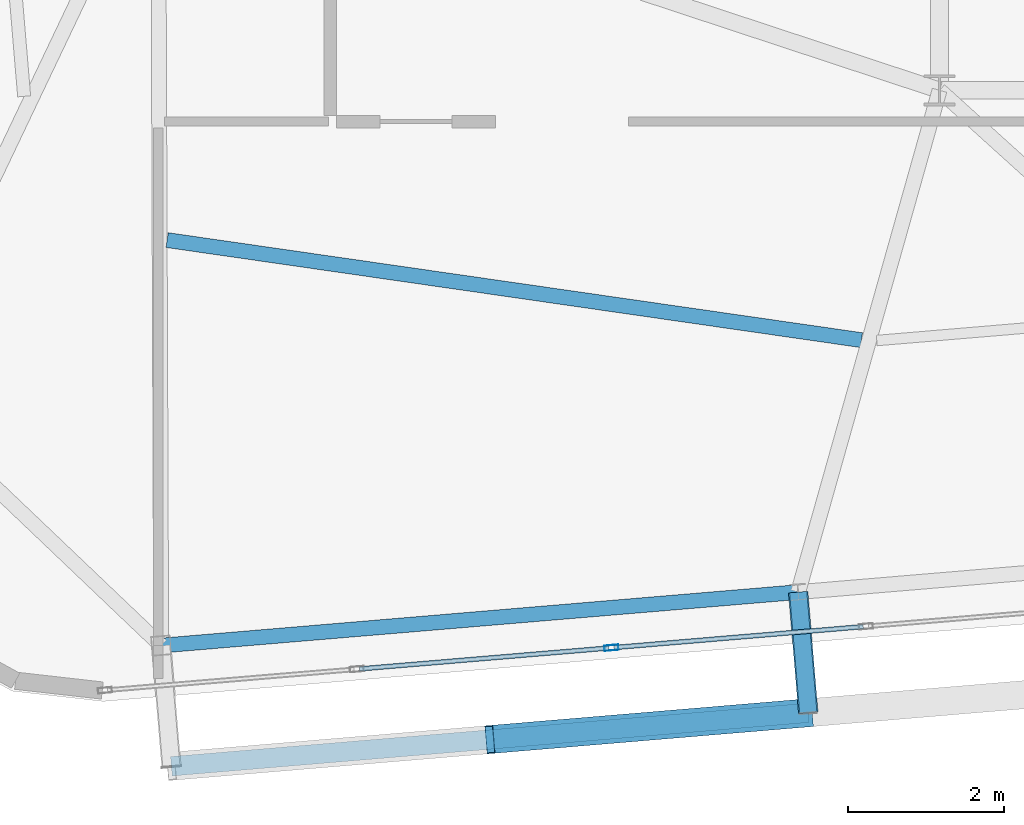
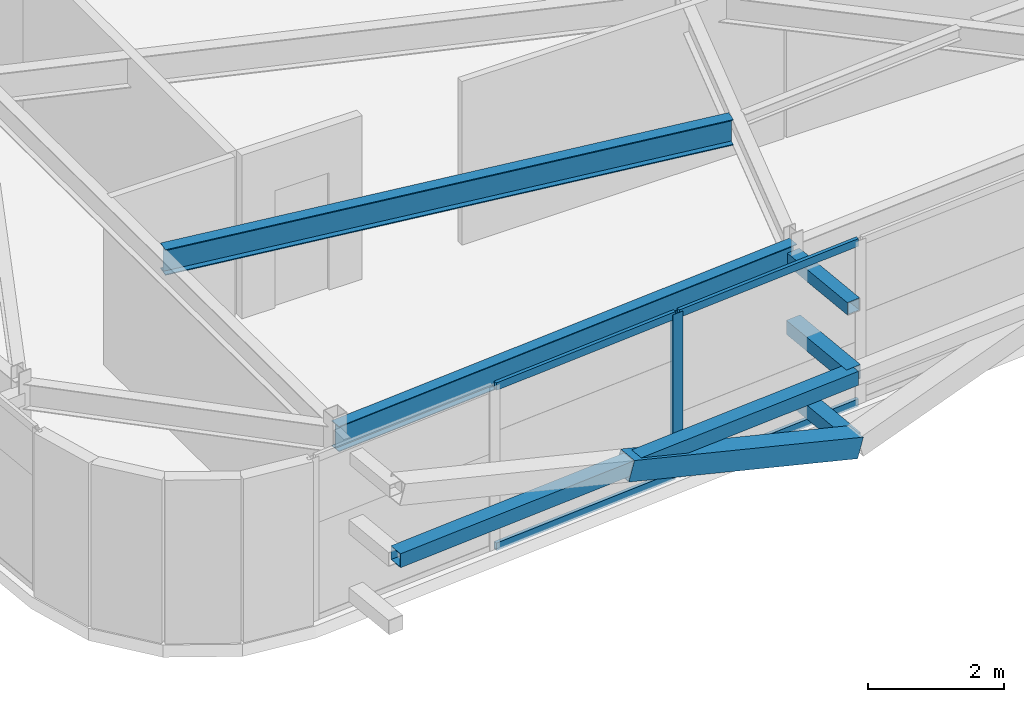
# One storey, part 8 of 46: 10 members, 2 beams, 1 element without a shape of its own.
"""IFC4 building model written with IfcOpenShell, lengths in metres."""

from ifc_helpers import new_model, si_unit, direction, frame, origin, origin_2d, place, context, subcontext, project, spatial, hollow_rectangle, i_section, extrude, source, transform, mapped, material, layer, layer_set, material_profile, profile_set, type_object, element, aggregate, save


model = new_model("IFC4")

# Units and contexts
model_context = context("Model", 3, precision=1e-05, world=origin(), true_north=direction((0.0, 1.0)))
body_context = subcontext(model_context, "Body", "Model", "MODEL_VIEW")
ifc_project = project(units=[si_unit("LENGTHUNIT", "METRE"), si_unit("AREAUNIT", "SQUARE_METRE"), si_unit("VOLUMEUNIT", "CUBIC_METRE"), si_unit("PLANEANGLEUNIT", "RADIAN"), si_unit("MASSUNIT", "GRAM", prefix="KILO")], contexts=[model_context])

# Site, building, storey
site_placement = place(None, origin())
site = spatial("IfcSite", under=ifc_project, at=site_placement, CompositionType="ELEMENT")
building_placement = place(site_placement, origin())
building = spatial("IfcBuilding", under=site, at=building_placement, Name="Taldren Reach Tower", CompositionType="ELEMENT")
storey_placement = place(building_placement, frame((0.0, 0.0, 188.300048828125)))
storey = spatial("IfcBuildingStorey", under=building, at=storey_placement, Name="L57", CompositionType="ELEMENT", Elevation=188.300048828125)

# Members
ifc_material_1 = material(Name="Steel Gr 350 (C350L0)", Category="steel")
ifc_material_profile_1 = material_profile(ifc_material_1, hollow_rectangle(XDim=0.25, YDim=0.25, WallThickness=0.010009765625, at=origin_2d()), Name="250x250x10.0SHS")
ifc_profile_set_1 = profile_set([ifc_material_profile_1], Name="Steel Gr 350 (C350L0)")
member_type_1 = type_object("IfcMemberType", Name="MB-POST250", PredefinedType="POST", material=ifc_profile_set_1)
shared_shape_1 = source(origin(), body_context, "Body", "SweptSolid", [
    extrude(hollow_rectangle(XDim=0.25, YDim=0.25, WallThickness=0.010009765625, at=origin_2d()), origin(), (0.0, 0.0, 1.0), 1.550048828125),
])
for number, where, z_axis, x_axis, name in (
    (1, (26.19091796875, 2.778564453125, 0.219970703125), (0.083632013783, -0.996496706603, 0.0), (0.996496706603, 0.083632013783, 0.0), "Exoskeleton base diaphragm tie strut B4-S2 L57"),
    (2, (26.19091796875, 2.778564453125, 1.43505859375), (0.083632013783, -0.996496706603, 0.0), (0.996496706603, 0.083632013783, 0.0), "Exoskeleton mid-tier diaphragm tie B4-S2 L57"),
):
    element("IfcMember", number, at=place(storey_placement, frame(where, z_axis=z_axis, x_axis=x_axis)), inside=storey, type_object=member_type_1, Name=name, PredefinedType="POST", context=body_context, shape_type="MappedRepresentation", body=[
        mapped(shared_shape_1, transform((0.0, 0.0, 0.0), scale=1.0)),
    ])

# Beams
ifc_material_2 = material(Name="Steel Gr 350 (350PLUS)", Category="steel")
ifc_material_profile_2 = material_profile(ifc_material_2, i_section(OverallWidth=0.18994140625, OverallDepth=0.4541015625, WebThickness=0.008544921875, FlangeThickness=0.0126953125, at=origin_2d()), Name="460UB67.1")
ifc_profile_set_2 = profile_set([ifc_material_profile_2], Name="Steel Gr 350 (350PLUS)")
beam_type_1 = type_object("IfcBeamType", Name="SP-UB460B", PredefinedType="SPANDREL", material=ifc_profile_set_2)
shared_shape_2 = source(origin(), body_context, "Body", "SweptSolid", [
    extrude(i_section(OverallWidth=0.18994140625, OverallDepth=0.4541015625, WebThickness=0.008544921875, FlangeThickness=0.0126953125, at=origin_2d()), origin(), (0.0, 0.0, 1.0), 8.18017578125),
])
beam_1_placement = place(storey_placement, frame((18.03955078125, 2.093994140625, 2.702880859375), z_axis=(0.996492034688, 0.083687662192, 0.0), x_axis=(-0.083687662192, 0.996492034688, 0.0)))
element("IfcBeam", 3, at=beam_1_placement, inside=storey, type_object=beam_type_1, Name="Perimeter spandrel B4 S1-S2 L57", PredefinedType="SPANDREL", context=body_context, shape_type="MappedRepresentation", body=[
    mapped(shared_shape_2, transform((0.0, 0.0, 0.0), scale=1.0)),
])
ifc_material_profile_3 = material_profile(ifc_material_2, i_section(OverallWidth=0.19091796875, OverallDepth=0.4599609375, WebThickness=0.010009765625, FlangeThickness=0.01611328125, at=origin_2d()), Name="460UB82.1")
ifc_profile_set_3 = profile_set([ifc_material_profile_3], Name="Steel Gr 350 (350PLUS)")
beam_type_2 = type_object("IfcBeamType", Name="BM-UB460A", PredefinedType="BEAM", material=ifc_profile_set_3)
shared_shape_3 = source(origin(), body_context, "Body", "SweptSolid", [
    extrude(i_section(OverallWidth=0.19091796875, OverallDepth=0.4599609375, WebThickness=0.010009765625, FlangeThickness=0.01611328125, at=origin_2d()), origin(), (0.0, 0.0, 1.0), 8.9765625),
])
beam_2_placement = place(storey_placement, frame((18.115478515625, 7.283203125, 2.699951171875), z_axis=(0.989776873291, -0.142624475806, 0.0), x_axis=(0.142624475806, 0.989776873291, 0.0)))
element("IfcBeam", 4, at=beam_2_placement, inside=storey, type_object=beam_type_2, Name="Secondary floor beam B4 J1 L57", PredefinedType="BEAM", context=body_context, shape_type="MappedRepresentation", body=[
    mapped(shared_shape_3, transform((0.0, 0.0, 0.0), scale=1.0)),
])

# Members
ifc_material_3 = material(Name="Steel Gr 450 (C450L0)", Category="steel")
ifc_material_profile_4 = material_profile(ifc_material_3, hollow_rectangle(XDim=0.219970703125, YDim=0.219970703125, WallThickness=0.00830078125, at=origin_2d()), Name="220x220x8.2SHS")
ifc_profile_set_4 = profile_set([ifc_material_profile_4], Name="Steel Gr 450 (C450L0)")
member_type_2 = type_object("IfcMemberType", Name="MB-TIE219", PredefinedType="STRUT", material=ifc_profile_set_4)
shared_shape_4 = source(origin(), body_context, "Body", "SweptSolid", [
    extrude(hollow_rectangle(XDim=0.219970703125, YDim=0.219970703125, WallThickness=0.00830078125, at=origin_2d()), origin(), (0.0, 0.0, 1.0), 1.550048828125),
])
member_1_placement = place(storey_placement, frame((26.19091796875, 2.778564453125, 2.64990234375), z_axis=(0.083632013783, -0.996496706603, 0.0), x_axis=(0.996496706603, 0.083632013783, 0.0)))
element("IfcMember", 5, at=member_1_placement, inside=storey, type_object=member_type_2, Name="Exoskeleton diaphragm tie strut B4-S2 L57", PredefinedType="STRUT", context=body_context, shape_type="MappedRepresentation", body=[
    mapped(shared_shape_4, transform((0.0, 0.0, 0.0), scale=1.0)),
])
shared_shape_5 = source(origin(), body_context, "Body", "SweptSolid", [
    extrude(hollow_rectangle(XDim=0.25, YDim=0.25, WallThickness=0.010009765625, at=origin_2d()), origin(), (0.0, 0.0, 1.0), 8.1796875),
])
member_2_placement = place(storey_placement, frame((18.16943359375, 0.549560546875, 1.43505859375), z_axis=(0.996494314327, 0.083660513465, 0.0), x_axis=(-0.083660513465, 0.996494314327, 0.0)))
element("IfcMember", 6, at=member_2_placement, inside=storey, type_object=member_type_1, Name="Exoskeleton mid-height ring chord B4-S1 L57", PredefinedType="POST", context=body_context, shape_type="MappedRepresentation", body=[
    mapped(shared_shape_5, transform((0.0, 0.0, 0.0), scale=1.0)),
])
ifc_material_profile_5 = material_profile(ifc_material_3, hollow_rectangle(XDim=0.360107421875, YDim=0.360107421875, WallThickness=0.0126953125, at=origin_2d()), Name="360x360x12.7SHS")
ifc_profile_set_5 = profile_set([ifc_material_profile_5], Name="Steel Gr 450 (C450L0)")
member_type_3 = type_object("IfcMemberType", Name="MB-EXO356", PredefinedType="BRACE", material=ifc_profile_set_5)
shared_shape_6 = source(origin(), body_context, "Body", "SweptSolid", [
    extrude(hollow_rectangle(XDim=0.360107421875, YDim=0.360107421875, WallThickness=0.0126953125, at=origin_2d()), origin(), (0.0, 0.0, 1.0), 4.266357421875),
])
member_3_placement = place(storey_placement, frame((26.320556640625, 1.23388671875, 0.219970703125), z_axis=(-0.955224149813, -0.080226697301, 0.284799053113), x_axis=(0.083692640416, -0.996491616593, 0.0)))
element("IfcMember", 7, at=member_3_placement, inside=storey, type_object=member_type_3, Name="Exoskeleton Diagrid Brace B4-S1 L57", PredefinedType="BRACE", context=body_context, shape_type="MappedRepresentation", body=[
    mapped(shared_shape_6, transform((0.0, 0.0, 0.0), scale=1.0)),
])

# Curtain wall, members
ifc_material_4 = material(Name="Aluminium and Low-E Glass Unitised System", Category="aluminium")
ifc_layer = layer(ifc_material_4, 0.159912109375)
ifc_layer_set = layer_set([ifc_layer], Name="Aluminium and Low-E Glass Unitised System")
curtain_wall_type = type_object("IfcCurtainWallType", Name="CW-SYS-5", PredefinedType="NOTDEFINED", material=ifc_layer_set)
curtain_wall_placement = place(storey_placement, origin())
curtain_wall = element("IfcCurtainWall", 8, at=curtain_wall_placement, inside=storey, type_object=curtain_wall_type, Name="Unitised curtain wall CW-L57-S", PredefinedType="NOTDEFINED")
ifc_material_5 = material(Name="Anodised Aluminium 6063-T6", Category="aluminium")
ifc_material_profile_6 = material_profile(ifc_material_5, hollow_rectangle(XDim=0.070068359375, YDim=0.179931640625, WallThickness=0.00390625, at=origin_2d()), Name="ALU-180x70x4RHS")
ifc_profile_set_6 = profile_set([ifc_material_profile_6], Name="Anodised Aluminium 6063-T6")
member_type_4 = type_object("IfcMemberType", Name="CW-MUL-180", PredefinedType="MULLION", material=ifc_profile_set_6)
shared_shape_7 = source(origin(), body_context, "Body", "SweptSolid", [
    extrude(hollow_rectangle(XDim=0.070068359375, YDim=0.179931640625, WallThickness=0.00390625, at=origin_2d()), origin(), (0.0, 0.0, 1.0), 2.929931640625),
])
member_4_placement = place(storey_placement, frame((23.80078125, 2.06591796875, 0.0), z_axis=(0.0, 0.0, 1.0), x_axis=(-0.083677894865, 0.996492854922, 0.0)))
member_4 = element("IfcMember", 9, at=member_4_placement, type_object=member_type_4, Name="CW-5 mullion 3", PredefinedType="MULLION", context=body_context, shape_type="MappedRepresentation", body=[
    mapped(shared_shape_7, transform((0.0, 0.0, 0.0), scale=1.0)),
])
ifc_material_profile_7 = material_profile(ifc_material_5, hollow_rectangle(XDim=0.06005859375, YDim=0.135009765625, WallThickness=0.00341796875, at=origin_2d()), Name="ALU-135x60x3.5RHS")
ifc_profile_set_7 = profile_set([ifc_material_profile_7], Name="Anodised Aluminium 6063-T6")
member_type_5 = type_object("IfcMemberType", Name="CW-TRN-150", PredefinedType="USERDEFINED", material=ifc_profile_set_7)
shared_shape_8 = source(origin(), body_context, "Body", "SweptSolid", [
    extrude(hollow_rectangle(XDim=0.06005859375, YDim=0.135009765625, WallThickness=0.00341796875, at=origin_2d()), origin(), (0.0, 0.0, 1.0), 3.19921875),
])
member_5_placement = place(storey_placement, frame((20.577880859375, 1.79541015625, 0.030029296875), z_axis=(0.996496109493, 0.083639128198, 0.0), x_axis=(-0.083639128198, 0.996496109493, 0.0)))
member_5 = element("IfcMember", 10, at=member_5_placement, type_object=member_type_5, Name="CW-5 transom 2.1", ObjectType="TRANSOM", PredefinedType="USERDEFINED", context=body_context, shape_type="MappedRepresentation", body=[
    mapped(shared_shape_8, transform((0.0, 0.0, 0.0), scale=1.0)),
])
member_6_placement = place(storey_placement, frame((20.577880859375, 1.79541015625, 2.89990234375), z_axis=(0.996496109493, 0.083639128198, 0.0), x_axis=(-0.083639128198, 0.996496109493, 0.0)))
member_6 = element("IfcMember", 11, at=member_6_placement, type_object=member_type_5, Name="CW-5 transom 2.2", ObjectType="TRANSOM", PredefinedType="USERDEFINED", context=body_context, shape_type="MappedRepresentation", body=[
    mapped(shared_shape_8, transform((0.0, 0.0, 0.0), scale=1.0)),
])
member_7_placement = place(storey_placement, frame((23.83544921875, 2.06884765625, 0.030029296875), z_axis=(0.996489746258, 0.083714906697, 0.0), x_axis=(-0.083714906697, 0.996489746258, 0.0)))
member_7 = element("IfcMember", 12, at=member_7_placement, type_object=member_type_5, Name="CW-5 transom 3.1", ObjectType="TRANSOM", PredefinedType="USERDEFINED", context=body_context, shape_type="MappedRepresentation", body=[
    mapped(shared_shape_8, transform((0.0, 0.0, 0.0), scale=1.0)),
])
member_8_placement = place(storey_placement, frame((23.83544921875, 2.06884765625, 2.89990234375), z_axis=(0.996489746258, 0.083714906697, 0.0), x_axis=(-0.083714906697, 0.996489746258, 0.0)))
member_8 = element("IfcMember", 13, at=member_8_placement, type_object=member_type_5, Name="CW-5 transom 3.2", ObjectType="TRANSOM", PredefinedType="USERDEFINED", context=body_context, shape_type="MappedRepresentation", body=[
    mapped(shared_shape_8, transform((0.0, 0.0, 0.0), scale=1.0)),
])
aggregate(curtain_wall, [member_4, member_5, member_6, member_7, member_8])

save(model, "model.ifc")
